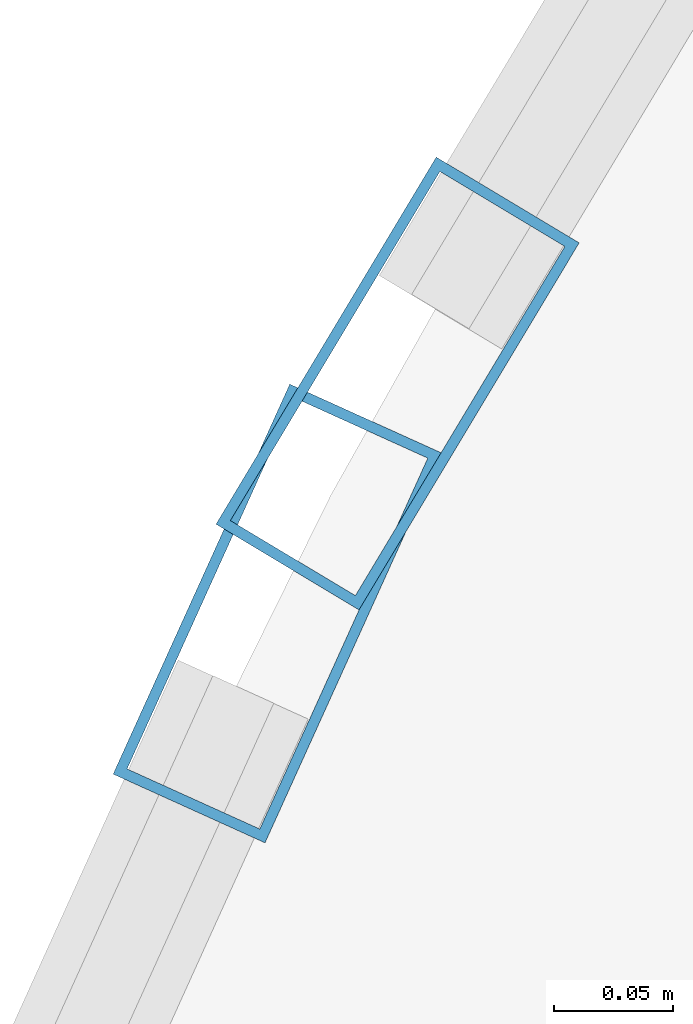
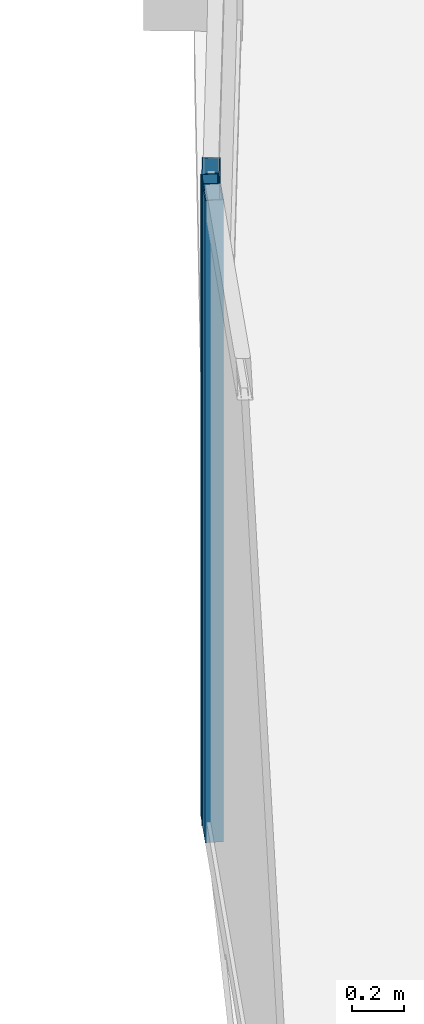
# One storey, part 10 of 31: 2 members, 2 elements without a shape of their own.
"""IFC4 building model written with IfcOpenShell, lengths in metres."""

from ifc_helpers import new_model, si_unit, direction, frame, origin, origin_2d, place, context, subcontext, project, spatial, hollow_rectangle, extrude, material, layer, layer_set, material_profile, profile_set, type_object, element, aggregate, save


model = new_model("IFC4")

# Units and contexts
model_context = context("Model", 3, precision=1e-05, world=origin(), true_north=direction((0.0, 1.0)))
body_context = subcontext(model_context, "Body", "Model", "MODEL_VIEW")
ifc_project = project(units=[si_unit("LENGTHUNIT", "METRE"), si_unit("AREAUNIT", "SQUARE_METRE"), si_unit("VOLUMEUNIT", "CUBIC_METRE"), si_unit("PLANEANGLEUNIT", "RADIAN"), si_unit("MASSUNIT", "GRAM", prefix="KILO")], contexts=[model_context])

# Site, building, storey
site_placement = place(None, origin())
site = spatial("IfcSite", under=ifc_project, at=site_placement, CompositionType="ELEMENT")
building_placement = place(site_placement, origin())
building = spatial("IfcBuilding", under=site, at=building_placement, Name="Orvanel Arch Residences", CompositionType="ELEMENT")
storey_placement = place(building_placement, frame((0.0, 0.0, 183.64990234375)))
storey = spatial("IfcBuildingStorey", under=building, at=storey_placement, Name="L52", CompositionType="ELEMENT", Elevation=183.64990234375)

# Curtain wall, member
ifc_material = material(Name="Bronze-anodised aluminium AA6063-T6", Category="aluminium")
ifc_layer = layer(ifc_material, 0.179931640625)
ifc_layer_set = layer_set([ifc_layer], Name="Bronze-anodised aluminium AA6063-T6")
curtain_wall_type = type_object("IfcCurtainWallType", Name="CW3-MID-SYS", PredefinedType="NOTDEFINED", material=ifc_layer_set)
curtain_wall_1_placement = place(storey_placement, origin())
curtain_wall_1 = element("IfcCurtainWall", 1, at=curtain_wall_1_placement, inside=storey, type_object=curtain_wall_type, Name="L52 CW3-MID-SYS Unitised Curtain Wall", PredefinedType="NOTDEFINED")
ifc_material_profile = material_profile(ifc_material, hollow_rectangle(XDim=0.070068359375, YDim=0.179931640625, WallThickness=0.00439453125, at=origin_2d()), Name="ALU180x70x4.5")
ifc_profile_set = profile_set([ifc_material_profile], Name="Bronze-anodised aluminium AA6063-T6")
member_type = type_object("IfcMemberType", Name="MUL-180x70", PredefinedType="MULLION", material=ifc_profile_set)
member_1_placement = place(storey_placement, frame((15.426025390625, 24.50390625, 0.0), z_axis=(0.0, 0.0, 1.0), x_axis=(0.857567687153, -0.514371132502, 0.0)))
member_1 = element("IfcMember", 2, at=member_1_placement, type_object=member_type, Name="CW-S3 mullion 3", PredefinedType="MULLION", context=body_context, shape_type="SweptSolid", body=[
    extrude(hollow_rectangle(XDim=0.070068359375, YDim=0.179931640625, WallThickness=0.00439453125, at=origin_2d()), origin(), (0.0, 0.0, 1.0), 3.02001953125),
])
aggregate(curtain_wall_1, [member_1])

curtain_wall_2_placement = place(storey_placement, origin())
curtain_wall_2 = element("IfcCurtainWall", 3, at=curtain_wall_2_placement, inside=storey, type_object=curtain_wall_type, Name="L52 CW3-MID-SYS Unitised Curtain Wall", PredefinedType="NOTDEFINED")
member_2_placement = place(storey_placement, frame((15.37548828125, 24.4072265625, 0.0), z_axis=(0.0, 0.0, 1.0), x_axis=(0.910943582501, -0.412530955809, 0.0)))
member_2 = element("IfcMember", 4, at=member_2_placement, type_object=member_type, Name="CW-S3 mullion 1", PredefinedType="MULLION", context=body_context, shape_type="SweptSolid", body=[
    extrude(hollow_rectangle(XDim=0.070068359375, YDim=0.179931640625, WallThickness=0.00439453125, at=origin_2d()), origin(), (0.0, 0.0, 1.0), 3.02001953125),
])
aggregate(curtain_wall_2, [member_2])

save(model, "model.ifc")
